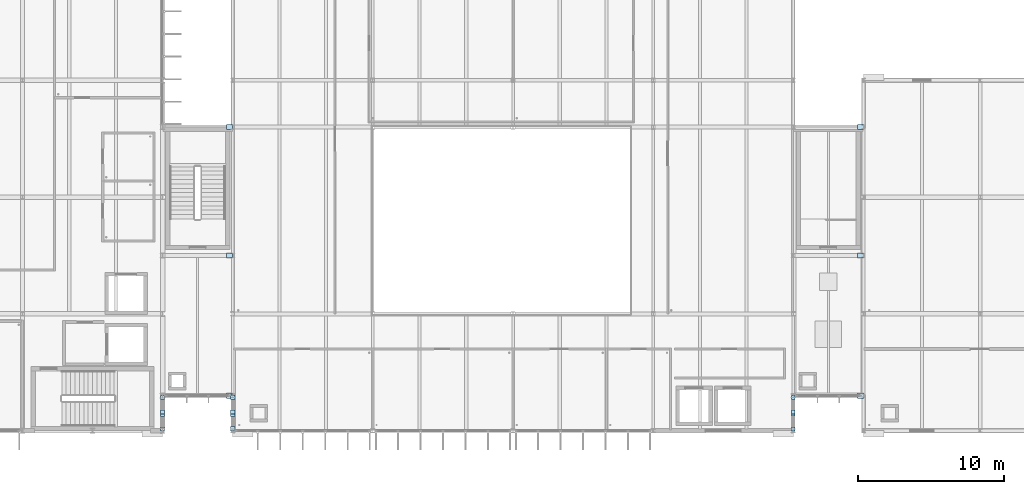
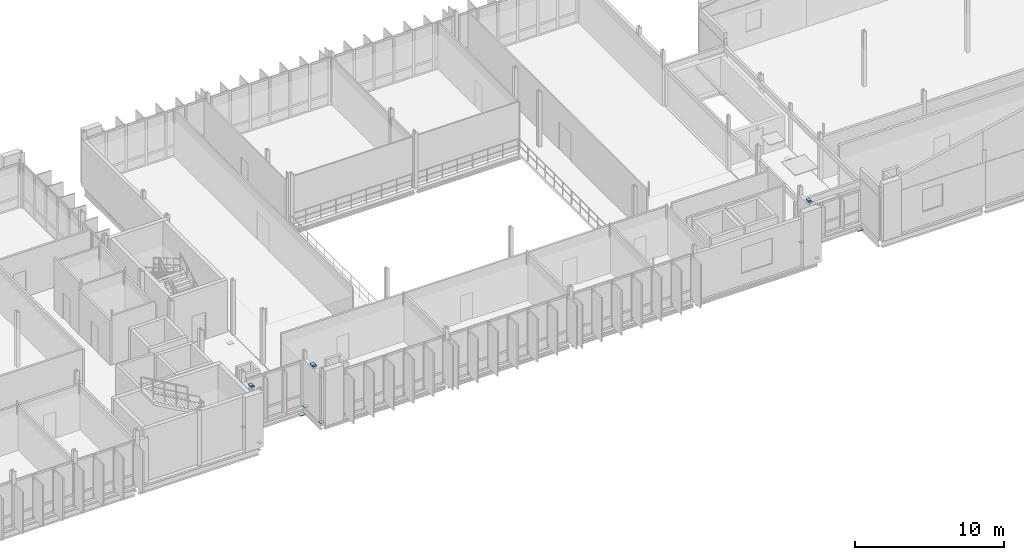
# One storey, part 31 of 59: 18 plates.
"""IFC4 building model written with IfcOpenShell, lengths in metres."""

from ifc_helpers import new_model, si_unit, direction, frame, origin, origin_2d, place, context, subcontext, project, spatial, rectangle, extrude, material, layer, layer_set, type_object, element, save


model = new_model("IFC4")

# Units and contexts
model_context = context("Model", 3, precision=1e-05, world=origin(), true_north=direction((0.0, 1.0)))
body_context = subcontext(model_context, "Body", "Model", "MODEL_VIEW")
ifc_project = project(units=[si_unit("LENGTHUNIT", "METRE"), si_unit("AREAUNIT", "SQUARE_METRE"), si_unit("VOLUMEUNIT", "CUBIC_METRE"), si_unit("PLANEANGLEUNIT", "RADIAN"), si_unit("MASSUNIT", "GRAM", prefix="KILO")], contexts=[model_context])

# Site, building, storey
site_placement = place(None, origin())
site = spatial("IfcSite", under=ifc_project, at=site_placement, CompositionType="ELEMENT")
building_placement = place(site_placement, origin())
building = spatial("IfcBuilding", under=site, at=building_placement, Name="Dunescarp Central Library", CompositionType="ELEMENT")
storey_placement = place(building_placement, frame((0.0, 0.0, 18.60009765625)))
storey = spatial("IfcBuildingStorey", under=building, at=storey_placement, Name="L04", CompositionType="ELEMENT", Elevation=18.60009765625)

# Plates
ifc_material = material(Name="Steel S355J0", Category="steel")
ifc_layer_1 = layer(ifc_material, 0.02001953125)
ifc_layer_set_1 = layer_set([ifc_layer_1], Name="Steel S355J0")
plate_type_1 = type_object("IfcPlateType", Name="STR-PLT-GUS1", PredefinedType="USERDEFINED", material=ifc_layer_set_1)
for number, where, z_axis, x_axis, name in (
    (1, (33.60009765625, 4.919921875, -0.01806640625), (0.0, 0.0, 1.0), (1.0, 0.0, 0.0), "Brace foot gusset plate GP-017"),
    (2, (33.60009765625, 7.080078125, -0.01806640625), (0.0, 0.0, 1.0), (1.0, 0.0, 0.0), "Brace foot gusset plate GP-019"),
):
    element("IfcPlate", number, at=place(storey_placement, frame(where, z_axis=z_axis, x_axis=x_axis)), inside=storey, type_object=plate_type_1, Name=name, ObjectType="GUSSET_PLATE", PredefinedType="USERDEFINED", context=body_context, shape_type="SweptSolid", body=[
        extrude(rectangle(XDim=0.279052734375, YDim=0.279052734375, at=origin_2d()), origin(), (0.0, 0.0, 1.0), 0.035888671875),
    ])
for number, where, z_axis, x_axis, name in (
    (3, (38.39990234375, 4.919921875, -0.01806640625), (0.0, 0.0, 1.0), (1.0, 0.0, 0.0), "Brace foot gusset plate GP-041"),
    (4, (38.39990234375, 7.080078125, -0.01806640625), (0.0, 0.0, 1.0), (1.0, 0.0, 0.0), "Brace foot gusset plate GP-043"),
):
    element("IfcPlate", number, at=place(storey_placement, frame(where, z_axis=z_axis, x_axis=x_axis)), inside=storey, type_object=plate_type_1, Name=name, ObjectType="GUSSET_PLATE", PredefinedType="USERDEFINED", context=body_context, shape_type="SweptSolid", body=[
        extrude(rectangle(XDim=0.303955078125, YDim=0.303955078125, at=origin_2d()), origin(), (0.0, 0.0, 1.0), 0.035888671875),
    ])
for number, where, z_axis, x_axis, name in (
    (5, (76.800048828125, 4.919921875, -0.01806640625), (0.0, 0.0, 1.0), (1.0, 0.0, 0.0), "Brace foot gusset plate GP-061"),
    (6, (76.800048828125, 7.080078125, -0.01806640625), (0.0, 0.0, 1.0), (1.0, 0.0, 0.0), "Brace foot gusset plate GP-063"),
):
    element("IfcPlate", number, at=place(storey_placement, frame(where, z_axis=z_axis, x_axis=x_axis)), inside=storey, type_object=plate_type_1, Name=name, ObjectType="GUSSET_PLATE", PredefinedType="USERDEFINED", context=body_context, shape_type="SweptSolid", body=[
        extrude(rectangle(XDim=0.25390625, YDim=0.25390625, at=origin_2d()), origin(), (0.0, 0.0, 1.0), 0.035888671875),
    ])
ifc_layer_2 = layer(ifc_material, 0.01611328125)
ifc_layer_set_2 = layer_set([ifc_layer_2], Name="Steel S355J0")
plate_type_2 = type_object("IfcPlateType", Name="STR-PLT-GUS2", PredefinedType="USERDEFINED", material=ifc_layer_set_2)
for number, where, z_axis, x_axis, name in (
    (7, (33.60009765625, 5.919921875, 4.02197265625), (0.0, 0.0, 1.0), (1.0, 0.0, 0.0), "Brace apex gusset plate GP-018"),
    (8, (33.60009765625, 6.080078125, 4.02197265625), (0.0, 0.0, 1.0), (1.0, 0.0, 0.0), "Brace apex gusset plate GP-020"),
):
    element("IfcPlate", number, at=place(storey_placement, frame(where, z_axis=z_axis, x_axis=x_axis)), inside=storey, type_object=plate_type_2, Name=name, ObjectType="GUSSET_PLATE", PredefinedType="USERDEFINED", context=body_context, shape_type="SweptSolid", body=[
        extrude(rectangle(XDim=0.279052734375, YDim=0.279052734375, at=origin_2d()), origin(), (0.0, 0.0, 1.0), 0.035888671875),
    ])
for number, where, z_axis, x_axis, name in (
    (9, (38.39990234375, 5.919921875, 4.02197265625), (0.0, 0.0, 1.0), (1.0, 0.0, 0.0), "Brace apex gusset plate GP-042"),
    (10, (38.39990234375, 6.080078125, 4.02197265625), (0.0, 0.0, 1.0), (1.0, 0.0, 0.0), "Brace apex gusset plate GP-044"),
):
    element("IfcPlate", number, at=place(storey_placement, frame(where, z_axis=z_axis, x_axis=x_axis)), inside=storey, type_object=plate_type_2, Name=name, ObjectType="GUSSET_PLATE", PredefinedType="USERDEFINED", context=body_context, shape_type="SweptSolid", body=[
        extrude(rectangle(XDim=0.303955078125, YDim=0.303955078125, at=origin_2d()), origin(), (0.0, 0.0, 1.0), 0.035888671875),
    ])
for number, where, z_axis, x_axis, name in (
    (11, (76.800048828125, 5.919921875, 4.02197265625), (0.0, 0.0, 1.0), (1.0, 0.0, 0.0), "Brace apex gusset plate GP-062"),
    (12, (76.800048828125, 6.080078125, 4.02197265625), (0.0, 0.0, 1.0), (1.0, 0.0, 0.0), "Brace apex gusset plate GP-064"),
):
    element("IfcPlate", number, at=place(storey_placement, frame(where, z_axis=z_axis, x_axis=x_axis)), inside=storey, type_object=plate_type_2, Name=name, ObjectType="GUSSET_PLATE", PredefinedType="USERDEFINED", context=body_context, shape_type="SweptSolid", body=[
        extrude(rectangle(XDim=0.25390625, YDim=0.25390625, at=origin_2d()), origin(), (0.0, 0.0, 1.0), 0.035888671875),
    ])
ifc_layer_3 = layer(ifc_material, 0.0400390625)
ifc_layer_set_3 = layer_set([ifc_layer_3], Name="Steel S355J0")
plate_type_3 = type_object("IfcPlateType", Name="STR-PLT-SEAT420", PredefinedType="USERDEFINED", material=ifc_layer_set_3)
for number, where, z_axis, x_axis, name in (
    (13, (38.18994140625, 7.199951171875, -0.68017578125), (0.0, 0.0, 1.0), (1.0, 0.0, 0.0), "L04 GL1 420 mm sliding link bearing seat BRG-01"),
    (14, (38.18994140625, 16.800048828125, -0.68017578125), (0.0, 0.0, 1.0), (1.0, 0.0, 0.0), "L04 GL1 420 mm sliding link bearing seat BRG-01"),
    (15, (38.18994140625, 25.60009765625, -0.68017578125), (0.0, 0.0, 1.0), (1.0, 0.0, 0.0), "L04 GL1 420 mm sliding link bearing seat BRG-01"),
    (16, (81.389892578125, 7.199951171875, -0.68017578125), (0.0, 0.0, 1.0), (1.0, 0.0, 0.0), "L04 GL2 420 mm sliding link bearing seat BRG-02"),
    (17, (81.389892578125, 16.800048828125, -0.68017578125), (0.0, 0.0, 1.0), (1.0, 0.0, 0.0), "L04 GL2 420 mm sliding link bearing seat BRG-02"),
    (18, (81.389892578125, 25.60009765625, -0.68017578125), (0.0, 0.0, 1.0), (1.0, 0.0, 0.0), "L04 GL2 420 mm sliding link bearing seat BRG-02"),
):
    element("IfcPlate", number, at=place(storey_placement, frame(where, z_axis=z_axis, x_axis=x_axis)), inside=storey, type_object=plate_type_3, Name=name, ObjectType="BASE_PLATE", PredefinedType="USERDEFINED", context=body_context, shape_type="SweptSolid", body=[
        extrude(rectangle(XDim=0.419921875, YDim=0.360107421875, at=origin_2d()), origin(), (0.0, 0.0, 1.0), 0.0400390625),
    ])

save(model, "model.ifc")
